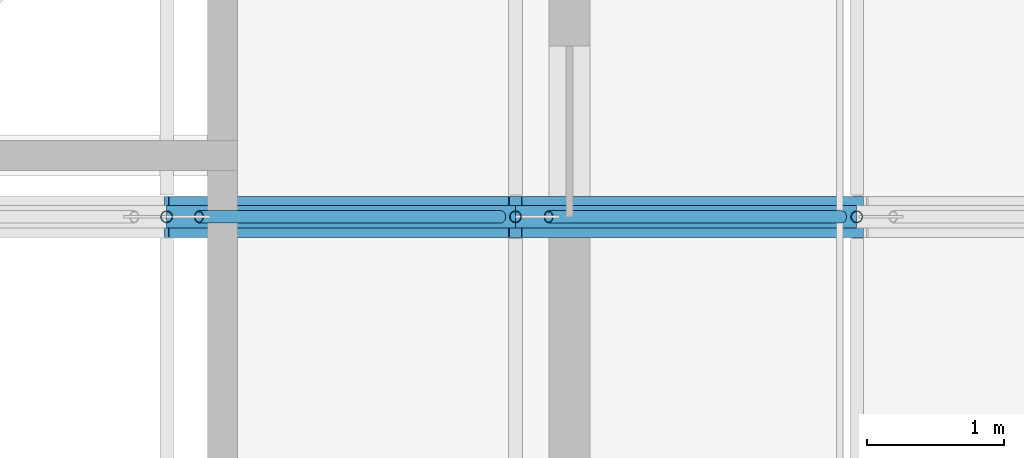
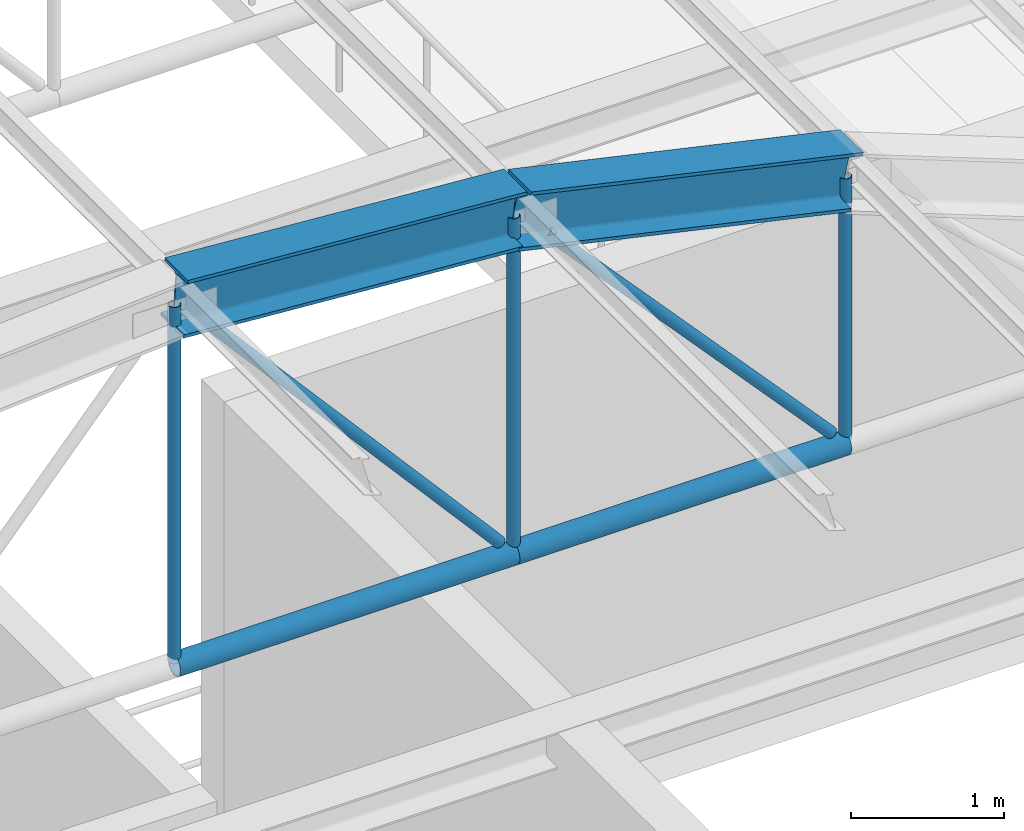
# One storey, part 36 of 148: 7 members, 2 beams.
"""IFC4 building model written with IfcOpenShell, lengths in metres."""

from ifc_helpers import new_model, si_unit, direction, frame, origin, origin_2d, place, context, subcontext, project, spatial, hollow_circle, i_section, extrude, material, material_profile, profile_set, type_object, element, save


model = new_model("IFC4")

# Units and contexts
model_context = context("Model", 3, precision=1e-05, world=origin(), true_north=direction((0.0, 1.0)))
body_context = subcontext(model_context, "Body", "Model", "MODEL_VIEW")
ifc_project = project(units=[si_unit("LENGTHUNIT", "METRE"), si_unit("AREAUNIT", "SQUARE_METRE"), si_unit("VOLUMEUNIT", "CUBIC_METRE"), si_unit("PLANEANGLEUNIT", "RADIAN"), si_unit("MASSUNIT", "GRAM", prefix="KILO"), si_unit("THERMODYNAMICTEMPERATUREUNIT", "KELVIN"), si_unit("POWERUNIT", "WATT")], contexts=[model_context])

# Site, building, storey
site_placement = place(None, origin())
site = spatial("IfcSite", under=ifc_project, at=site_placement, CompositionType="ELEMENT")
building_placement = place(site_placement, origin())
building = spatial("IfcBuilding", under=site, at=building_placement, Name="Solvatero Civic Police Headquarters", CompositionType="ELEMENT")
storey_placement = place(building_placement, frame((0.0, 0.0, 5.10009765625)))
storey = spatial("IfcBuildingStorey", under=building, at=storey_placement, Name="L01", CompositionType="ELEMENT", Elevation=5.10009765625)

# Beams
ifc_material = material(Name="Steel S355", Category="steel")
ifc_material_profile_1 = material_profile(ifc_material, i_section(OverallWidth=0.300048828125, OverallDepth=0.449951171875, WebThickness=0.013916015625, FlangeThickness=0.02587890625, FilletRadius=0.027099609375, at=origin_2d()), Name="HEB 450")
ifc_profile_set_1 = profile_set([ifc_material_profile_1], Name="Steel S355")
beam_type = type_object("IfcBeamType", Name="BM-ST-HEB450", PredefinedType="BEAM", material=ifc_profile_set_1)
beam_1_placement = place(storey_placement, frame((110.5, 10.800048828125, 8.31396484375), z_axis=(0.997304549883, 0.0, -0.073373256584), x_axis=(0.0, 1.0, 0.0)))
element("IfcBeam", 1, at=beam_1_placement, inside=storey, type_object=beam_type, Name="VLT1 Tied-Arch Vault Top Chord F2.6", PredefinedType="BEAM", context=body_context, shape_type="SweptSolid", body=[
    extrude(i_section(OverallWidth=0.300048828125, OverallDepth=0.449951171875, WebThickness=0.013916015625, FlangeThickness=0.02587890625, FilletRadius=0.027099609375, at=origin_2d()), origin(), (0.0, 0.0, 1.0), 2.56201171875),
])
beam_2_placement = place(storey_placement, frame((113.05517578125, 10.800048828125, 8.1171875), z_axis=(0.975854055758, 0.0, -0.218423583574), x_axis=(0.0, 1.0, 0.0)))
element("IfcBeam", 2, at=beam_2_placement, inside=storey, type_object=beam_type, Name="VLT1 Tied-Arch Vault Top Chord F2.7", PredefinedType="BEAM", context=body_context, shape_type="SweptSolid", body=[
    extrude(i_section(OverallWidth=0.300048828125, OverallDepth=0.449951171875, WebThickness=0.013916015625, FlangeThickness=0.02587890625, FilletRadius=0.027099609375, at=origin_2d()), origin(), (0.0, 0.0, 1.0), 2.561767578125),
])

# Members
ifc_material_profile_2 = material_profile(ifc_material, hollow_circle(Radius=0.04443359375, WallThickness=0.00634765625, at=origin_2d()), Name="CHS 88.9x6.3")
ifc_profile_set_2 = profile_set([ifc_material_profile_2], Name="Steel S355")
member_type_1 = type_object("IfcMemberType", Name="MB-HNG-CHS89", PredefinedType="STRUT", material=ifc_profile_set_2)
member_1_placement = place(storey_placement, frame((112.949951171875, 10.800048828125, 5.51220703125), z_axis=(-0.657605371239, 0.0, 0.753362579186), x_axis=(0.0, -1.0, 0.0)))
element("IfcMember", 3, at=member_1_placement, inside=storey, type_object=member_type_1, Name="VLT1 Vault Truss Diagonal Web F2.5", PredefinedType="STRUT", context=body_context, shape_type="SweptSolid", body=[
    extrude(hollow_circle(Radius=0.04443359375, WallThickness=0.00634765625, at=origin_2d()), origin(), (0.0, 0.0, 1.0), 3.365478515625),
])
member_2_placement = place(storey_placement, frame((115.447265625, 10.800048828125, 5.509765625), z_axis=(-0.674096872288, 0.0, 0.73864294945), x_axis=(0.0, -1.0, 0.0)))
element("IfcMember", 4, at=member_2_placement, inside=storey, type_object=member_type_1, Name="VLT1 Vault Truss Diagonal Web F2.6", PredefinedType="STRUT", context=body_context, shape_type="SweptSolid", body=[
    extrude(hollow_circle(Radius=0.04443359375, WallThickness=0.00634765625, at=origin_2d()), origin(), (0.0, 0.0, 1.0), 3.1884765625),
])
member_3_placement = place(storey_placement, frame((110.5, 10.800048828125, 5.431640625), z_axis=(0.0, 0.0, 1.0), x_axis=(1.0, 0.0, 0.0)))
element("IfcMember", 5, at=member_3_placement, inside=storey, type_object=member_type_1, Name="VLT1 Vault Vertical Hanger F2.5", PredefinedType="STRUT", context=body_context, shape_type="SweptSolid", body=[
    extrude(hollow_circle(Radius=0.04443359375, WallThickness=0.00634765625, at=origin_2d()), origin(), (0.0, 0.0, 1.0), 2.837158203125),
])
member_4_placement = place(storey_placement, frame((113.05517578125, 10.800048828125, 5.431640625), z_axis=(0.0, 0.0, 1.0), x_axis=(1.0, 0.0, 0.0)))
element("IfcMember", 6, at=member_4_placement, inside=storey, type_object=member_type_1, Name="VLT1 Vault Vertical Hanger F2.6", PredefinedType="STRUT", context=body_context, shape_type="SweptSolid", body=[
    extrude(hollow_circle(Radius=0.04443359375, WallThickness=0.00634765625, at=origin_2d()), origin(), (0.0, 0.0, 1.0), 2.649169921875),
])
member_5_placement = place(storey_placement, frame((115.55517578125, 10.800048828125, 5.431640625), z_axis=(0.0, 0.0, 1.0), x_axis=(1.0, 0.0, 0.0)))
element("IfcMember", 7, at=member_5_placement, inside=storey, type_object=member_type_1, Name="VLT1 Vault Vertical Hanger F2.7", PredefinedType="STRUT", context=body_context, shape_type="SweptSolid", body=[
    extrude(hollow_circle(Radius=0.04443359375, WallThickness=0.00634765625, at=origin_2d()), origin(), (0.0, 0.0, 1.0), 2.08935546875),
])
ifc_material_profile_3 = material_profile(ifc_material, hollow_circle(Radius=0.084228515625, WallThickness=0.010009765625, at=origin_2d()), Name="CHS 168.3x10.0")
ifc_profile_set_3 = profile_set([ifc_material_profile_3], Name="Steel S355")
member_type_2 = type_object("IfcMemberType", Name="MB-TIE-CHS168", PredefinedType="CHORD", material=ifc_profile_set_3)
member_6_placement = place(storey_placement, frame((110.5, 10.800048828125, 5.3916015625), z_axis=(1.0, 0.0, 0.0), x_axis=(0.0, 1.0, 0.0)))
element("IfcMember", 8, at=member_6_placement, inside=storey, type_object=member_type_2, Name="VLT1 Vault Horizontal Tie Chord F2.5", PredefinedType="CHORD", context=body_context, shape_type="SweptSolid", body=[
    extrude(hollow_circle(Radius=0.084228515625, WallThickness=0.010009765625, at=origin_2d()), origin(), (0.0, 0.0, 1.0), 2.55517578125),
])
member_7_placement = place(storey_placement, frame((113.05517578125, 10.800048828125, 5.3916015625), z_axis=(1.0, 0.0, 0.0), x_axis=(0.0, 1.0, 0.0)))
element("IfcMember", 9, at=member_7_placement, inside=storey, type_object=member_type_2, Name="VLT1 Vault Horizontal Tie Chord F2.6", PredefinedType="CHORD", context=body_context, shape_type="SweptSolid", body=[
    extrude(hollow_circle(Radius=0.084228515625, WallThickness=0.010009765625, at=origin_2d()), origin(), (0.0, 0.0, 1.0), 2.5),
])

save(model, "model.ifc")
